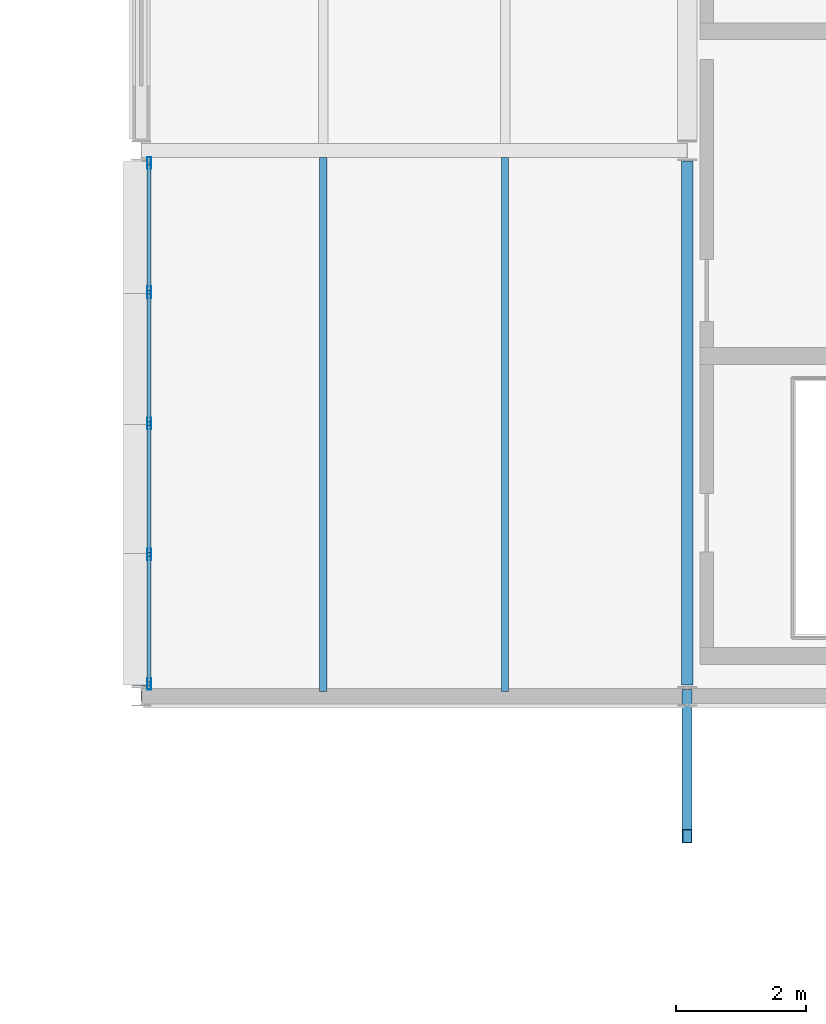
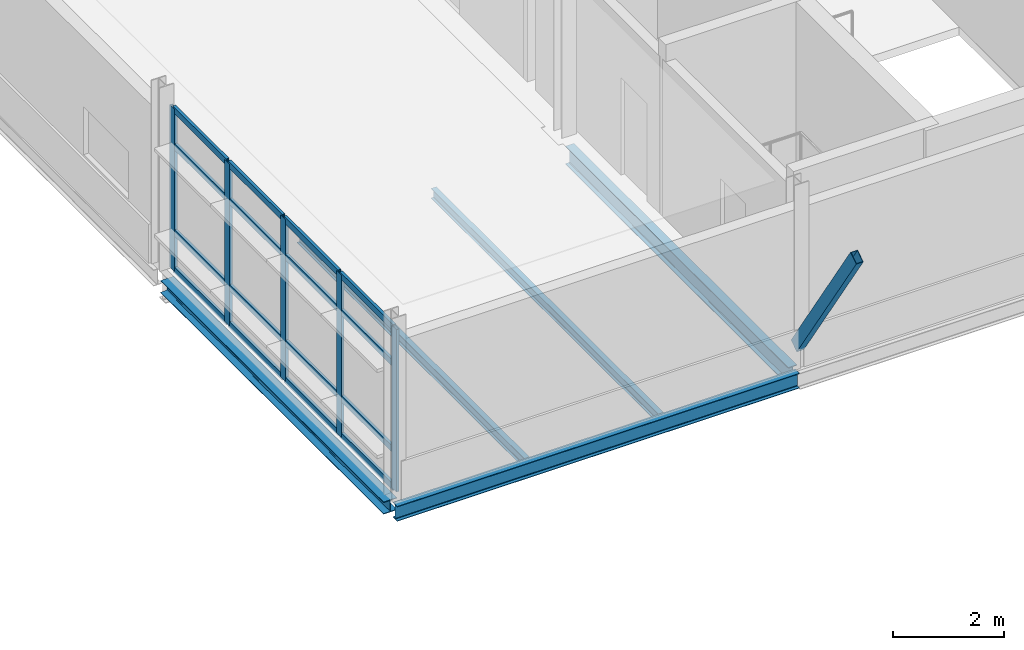
# One storey, part 28 of 66: 22 members, 5 beams, 1 element without a shape of its own.
"""IFC4 building model written with IfcOpenShell, lengths in metres."""

from ifc_helpers import new_model, si_unit, direction, frame, origin, origin_2d, place, context, subcontext, project, spatial, hollow_rectangle, i_section, extrude, material, material_profile, profile_set, type_object, element, aggregate, save


model = new_model("IFC4")

# Units and contexts
model_context = context("Model", 3, precision=1e-05, world=origin(), true_north=direction((0.0, 1.0)))
body_context = subcontext(model_context, "Body", "Model", "MODEL_VIEW")
ifc_project = project(units=[si_unit("LENGTHUNIT", "METRE"), si_unit("AREAUNIT", "SQUARE_METRE"), si_unit("VOLUMEUNIT", "CUBIC_METRE"), si_unit("PLANEANGLEUNIT", "RADIAN"), si_unit("MASSUNIT", "GRAM", prefix="KILO")], contexts=[model_context])

# Site, building, storey
site_placement = place(None, origin())
site = spatial("IfcSite", under=ifc_project, at=site_placement, CompositionType="ELEMENT")
building_placement = place(site_placement, origin())
building = spatial("IfcBuilding", under=site, at=building_placement, Name="Mersafa Astral City Hall", CompositionType="ELEMENT")
storey_placement = place(building_placement, frame((0.0, 0.0, 22.050048828125)))
storey = spatial("IfcBuildingStorey", under=building, at=storey_placement, Name="L05", CompositionType="ELEMENT", Elevation=22.050048828125)

# Curtain wall, members
ifc_material_1 = material(Name="Anodised bronze aluminium framing", Category="aluminium")
curtain_wall_type = type_object("IfcCurtainWallType", Name="ENV-CW-4", PredefinedType="USERDEFINED", material=ifc_material_1)
curtain_wall_placement = place(storey_placement, origin())
curtain_wall = element("IfcCurtainWall", 1, at=curtain_wall_placement, inside=storey, type_object=curtain_wall_type, Name="L05 Unitised solar curtain wall 225", ObjectType="UNITISED CURTAIN WALL", PredefinedType="USERDEFINED")
ifc_material_profile_1 = material_profile(ifc_material_1, hollow_rectangle(XDim=0.06005859375, YDim=0.179931640625, WallThickness=0.00390625, at=origin_2d()), Name="RHS 60x180x4")
ifc_profile_set_1 = profile_set([ifc_material_profile_1], Name="Anodised bronze aluminium framing")
member_type_1 = type_object("IfcMemberType", Name="ENV-CW-MUL-1", PredefinedType="MULLION", material=ifc_profile_set_1)
member_1_placement = place(storey_placement, frame((159.719970703125, 58.60791015625, -0.001953125), z_axis=(0.0, 0.0, 1.0), x_axis=(1.0, 0.0, 0.0)))
member_1 = element("IfcMember", 2, at=member_1_placement, type_object=member_type_1, Name="CW-4 mullion 1", PredefinedType="MULLION", context=body_context, shape_type="SweptSolid", body=[
    extrude(hollow_rectangle(XDim=0.06005859375, YDim=0.179931640625, WallThickness=0.00390625, at=origin_2d()), origin(), (0.0, 0.0, 1.0), 3.578857421875),
])
member_2_placement = place(storey_placement, frame((159.719970703125, 56.618896484375, -0.001953125), z_axis=(0.0, 0.0, 1.0), x_axis=(1.0, 0.0, 0.0)))
member_2 = element("IfcMember", 3, at=member_2_placement, type_object=member_type_1, Name="CW-4 mullion 2", PredefinedType="MULLION", context=body_context, shape_type="SweptSolid", body=[
    extrude(hollow_rectangle(XDim=0.06005859375, YDim=0.179931640625, WallThickness=0.00390625, at=origin_2d()), origin(), (0.0, 0.0, 1.0), 3.578857421875),
])
member_3_placement = place(storey_placement, frame((159.719970703125, 54.60009765625, -0.001953125), z_axis=(0.0, 0.0, 1.0), x_axis=(1.0, 0.0, 0.0)))
member_3 = element("IfcMember", 4, at=member_3_placement, type_object=member_type_1, Name="CW-4 mullion 3", PredefinedType="MULLION", context=body_context, shape_type="SweptSolid", body=[
    extrude(hollow_rectangle(XDim=0.06005859375, YDim=0.179931640625, WallThickness=0.00390625, at=origin_2d()), origin(), (0.0, 0.0, 1.0), 3.578857421875),
])
member_4_placement = place(storey_placement, frame((159.719970703125, 52.5810546875, -0.001953125), z_axis=(0.0, 0.0, 1.0), x_axis=(1.0, 0.0, 0.0)))
member_4 = element("IfcMember", 5, at=member_4_placement, type_object=member_type_1, Name="CW-4 mullion 4", PredefinedType="MULLION", context=body_context, shape_type="SweptSolid", body=[
    extrude(hollow_rectangle(XDim=0.06005859375, YDim=0.179931640625, WallThickness=0.00390625, at=origin_2d()), origin(), (0.0, 0.0, 1.0), 3.578857421875),
])
member_5_placement = place(storey_placement, frame((159.719970703125, 50.592041015625, -0.001953125), z_axis=(0.0, 0.0, 1.0), x_axis=(1.0, 0.0, 0.0)))
member_5 = element("IfcMember", 6, at=member_5_placement, type_object=member_type_1, Name="CW-4 mullion 5", PredefinedType="MULLION", context=body_context, shape_type="SweptSolid", body=[
    extrude(hollow_rectangle(XDim=0.06005859375, YDim=0.179931640625, WallThickness=0.00390625, at=origin_2d()), origin(), (0.0, 0.0, 1.0), 3.578857421875),
])
ifc_material_profile_2 = material_profile(ifc_material_1, hollow_rectangle(XDim=0.06005859375, YDim=0.139892578125, WallThickness=0.00390625, at=origin_2d()), Name="RHS 60x140x4")
ifc_profile_set_2 = profile_set([ifc_material_profile_2], Name="Anodised bronze aluminium framing")
member_type_2 = type_object("IfcMemberType", Name="ENV-CW-TRN-1", PredefinedType="USERDEFINED", material=ifc_profile_set_2)
member_6_placement = place(storey_placement, frame((159.719970703125, 58.577880859375, 0.02783203125), z_axis=(0.0, -1.0, 0.0), x_axis=(1.0, 0.0, 0.0)))
member_6 = element("IfcMember", 7, at=member_6_placement, type_object=member_type_2, Name="CW-4 transom 1.1", ObjectType="TRANSOM", PredefinedType="USERDEFINED", context=body_context, shape_type="SweptSolid", body=[
    extrude(hollow_rectangle(XDim=0.06005859375, YDim=0.139892578125, WallThickness=0.00390625, at=origin_2d()), origin(), (0.0, 0.0, 1.0), 1.928955078125),
])
member_7_placement = place(storey_placement, frame((159.719970703125, 58.577880859375, 0.849853515625), z_axis=(0.0, -1.0, 0.0), x_axis=(1.0, 0.0, 0.0)))
member_7 = element("IfcMember", 8, at=member_7_placement, type_object=member_type_2, Name="CW-4 transom 1.2", ObjectType="TRANSOM", PredefinedType="USERDEFINED", context=body_context, shape_type="SweptSolid", body=[
    extrude(hollow_rectangle(XDim=0.06005859375, YDim=0.139892578125, WallThickness=0.00390625, at=origin_2d()), origin(), (0.0, 0.0, 1.0), 1.928955078125),
])
member_8_placement = place(storey_placement, frame((159.719970703125, 58.577880859375, 2.75), z_axis=(0.0, -1.0, 0.0), x_axis=(1.0, 0.0, 0.0)))
member_8 = element("IfcMember", 9, at=member_8_placement, type_object=member_type_2, Name="CW-4 transom 1.3", ObjectType="TRANSOM", PredefinedType="USERDEFINED", context=body_context, shape_type="SweptSolid", body=[
    extrude(hollow_rectangle(XDim=0.06005859375, YDim=0.139892578125, WallThickness=0.00390625, at=origin_2d()), origin(), (0.0, 0.0, 1.0), 1.928955078125),
])
member_9_placement = place(storey_placement, frame((159.719970703125, 58.577880859375, 3.546875), z_axis=(0.0, -1.0, 0.0), x_axis=(1.0, 0.0, 0.0)))
member_9 = element("IfcMember", 10, at=member_9_placement, type_object=member_type_2, Name="CW-4 transom 1.4", ObjectType="TRANSOM", PredefinedType="USERDEFINED", context=body_context, shape_type="SweptSolid", body=[
    extrude(hollow_rectangle(XDim=0.06005859375, YDim=0.139892578125, WallThickness=0.00390625, at=origin_2d()), origin(), (0.0, 0.0, 1.0), 1.928955078125),
])
member_10_placement = place(storey_placement, frame((159.719970703125, 56.589111328125, 0.02783203125), z_axis=(0.0, -1.0, 0.0), x_axis=(1.0, 0.0, 0.0)))
member_10 = element("IfcMember", 11, at=member_10_placement, type_object=member_type_2, Name="CW-4 transom 2.1", ObjectType="TRANSOM", PredefinedType="USERDEFINED", context=body_context, shape_type="SweptSolid", body=[
    extrude(hollow_rectangle(XDim=0.06005859375, YDim=0.139892578125, WallThickness=0.00390625, at=origin_2d()), origin(), (0.0, 0.0, 1.0), 1.959228515625),
])
member_11_placement = place(storey_placement, frame((159.719970703125, 56.589111328125, 0.849853515625), z_axis=(0.0, -1.0, 0.0), x_axis=(1.0, 0.0, 0.0)))
member_11 = element("IfcMember", 12, at=member_11_placement, type_object=member_type_2, Name="CW-4 transom 2.2", ObjectType="TRANSOM", PredefinedType="USERDEFINED", context=body_context, shape_type="SweptSolid", body=[
    extrude(hollow_rectangle(XDim=0.06005859375, YDim=0.139892578125, WallThickness=0.00390625, at=origin_2d()), origin(), (0.0, 0.0, 1.0), 1.959228515625),
])
member_12_placement = place(storey_placement, frame((159.719970703125, 56.589111328125, 2.75), z_axis=(0.0, -1.0, 0.0), x_axis=(1.0, 0.0, 0.0)))
member_12 = element("IfcMember", 13, at=member_12_placement, type_object=member_type_2, Name="CW-4 transom 2.3", ObjectType="TRANSOM", PredefinedType="USERDEFINED", context=body_context, shape_type="SweptSolid", body=[
    extrude(hollow_rectangle(XDim=0.06005859375, YDim=0.139892578125, WallThickness=0.00390625, at=origin_2d()), origin(), (0.0, 0.0, 1.0), 1.959228515625),
])
member_13_placement = place(storey_placement, frame((159.719970703125, 56.589111328125, 3.546875), z_axis=(0.0, -1.0, 0.0), x_axis=(1.0, 0.0, 0.0)))
member_13 = element("IfcMember", 14, at=member_13_placement, type_object=member_type_2, Name="CW-4 transom 2.4", ObjectType="TRANSOM", PredefinedType="USERDEFINED", context=body_context, shape_type="SweptSolid", body=[
    extrude(hollow_rectangle(XDim=0.06005859375, YDim=0.139892578125, WallThickness=0.00390625, at=origin_2d()), origin(), (0.0, 0.0, 1.0), 1.959228515625),
])
member_14_placement = place(storey_placement, frame((159.719970703125, 54.570068359375, 0.02783203125), z_axis=(0.0, -1.0, 0.0), x_axis=(1.0, 0.0, 0.0)))
member_14 = element("IfcMember", 15, at=member_14_placement, type_object=member_type_2, Name="CW-4 transom 3.1", ObjectType="TRANSOM", PredefinedType="USERDEFINED", context=body_context, shape_type="SweptSolid", body=[
    extrude(hollow_rectangle(XDim=0.06005859375, YDim=0.139892578125, WallThickness=0.00390625, at=origin_2d()), origin(), (0.0, 0.0, 1.0), 1.958984375),
])
member_15_placement = place(storey_placement, frame((159.719970703125, 54.570068359375, 0.849853515625), z_axis=(0.0, -1.0, 0.0), x_axis=(1.0, 0.0, 0.0)))
member_15 = element("IfcMember", 16, at=member_15_placement, type_object=member_type_2, Name="CW-4 transom 3.2", ObjectType="TRANSOM", PredefinedType="USERDEFINED", context=body_context, shape_type="SweptSolid", body=[
    extrude(hollow_rectangle(XDim=0.06005859375, YDim=0.139892578125, WallThickness=0.00390625, at=origin_2d()), origin(), (0.0, 0.0, 1.0), 1.958984375),
])
member_16_placement = place(storey_placement, frame((159.719970703125, 54.570068359375, 2.75), z_axis=(0.0, -1.0, 0.0), x_axis=(1.0, 0.0, 0.0)))
member_16 = element("IfcMember", 17, at=member_16_placement, type_object=member_type_2, Name="CW-4 transom 3.3", ObjectType="TRANSOM", PredefinedType="USERDEFINED", context=body_context, shape_type="SweptSolid", body=[
    extrude(hollow_rectangle(XDim=0.06005859375, YDim=0.139892578125, WallThickness=0.00390625, at=origin_2d()), origin(), (0.0, 0.0, 1.0), 1.958984375),
])
member_17_placement = place(storey_placement, frame((159.719970703125, 54.570068359375, 3.546875), z_axis=(0.0, -1.0, 0.0), x_axis=(1.0, 0.0, 0.0)))
member_17 = element("IfcMember", 18, at=member_17_placement, type_object=member_type_2, Name="CW-4 transom 3.4", ObjectType="TRANSOM", PredefinedType="USERDEFINED", context=body_context, shape_type="SweptSolid", body=[
    extrude(hollow_rectangle(XDim=0.06005859375, YDim=0.139892578125, WallThickness=0.00390625, at=origin_2d()), origin(), (0.0, 0.0, 1.0), 1.958984375),
])
member_18_placement = place(storey_placement, frame((159.719970703125, 52.551025390625, 0.02783203125), z_axis=(0.0, -1.0, 0.0), x_axis=(1.0, 0.0, 0.0)))
member_18 = element("IfcMember", 19, at=member_18_placement, type_object=member_type_2, Name="CW-4 transom 4.1", ObjectType="TRANSOM", PredefinedType="USERDEFINED", context=body_context, shape_type="SweptSolid", body=[
    extrude(hollow_rectangle(XDim=0.06005859375, YDim=0.139892578125, WallThickness=0.00390625, at=origin_2d()), origin(), (0.0, 0.0, 1.0), 1.928955078125),
])
member_19_placement = place(storey_placement, frame((159.719970703125, 52.551025390625, 0.849853515625), z_axis=(0.0, -1.0, 0.0), x_axis=(1.0, 0.0, 0.0)))
member_19 = element("IfcMember", 20, at=member_19_placement, type_object=member_type_2, Name="CW-4 transom 4.2", ObjectType="TRANSOM", PredefinedType="USERDEFINED", context=body_context, shape_type="SweptSolid", body=[
    extrude(hollow_rectangle(XDim=0.06005859375, YDim=0.139892578125, WallThickness=0.00390625, at=origin_2d()), origin(), (0.0, 0.0, 1.0), 1.928955078125),
])
member_20_placement = place(storey_placement, frame((159.719970703125, 52.551025390625, 2.75), z_axis=(0.0, -1.0, 0.0), x_axis=(1.0, 0.0, 0.0)))
member_20 = element("IfcMember", 21, at=member_20_placement, type_object=member_type_2, Name="CW-4 transom 4.3", ObjectType="TRANSOM", PredefinedType="USERDEFINED", context=body_context, shape_type="SweptSolid", body=[
    extrude(hollow_rectangle(XDim=0.06005859375, YDim=0.139892578125, WallThickness=0.00390625, at=origin_2d()), origin(), (0.0, 0.0, 1.0), 1.928955078125),
])
member_21_placement = place(storey_placement, frame((159.719970703125, 52.551025390625, 3.546875), z_axis=(0.0, -1.0, 0.0), x_axis=(1.0, 0.0, 0.0)))
member_21 = element("IfcMember", 22, at=member_21_placement, type_object=member_type_2, Name="CW-4 transom 4.4", ObjectType="TRANSOM", PredefinedType="USERDEFINED", context=body_context, shape_type="SweptSolid", body=[
    extrude(hollow_rectangle(XDim=0.06005859375, YDim=0.139892578125, WallThickness=0.00390625, at=origin_2d()), origin(), (0.0, 0.0, 1.0), 1.928955078125),
])
aggregate(curtain_wall, [member_1, member_2, member_3, member_4, member_5, member_6, member_7, member_8, member_9, member_10, member_11, member_12, member_13, member_14, member_15, member_16, member_17, member_18, member_19, member_20, member_21])

# Beams
ifc_material_2 = material(Name="Steel S355", Category="steel")
ifc_material_profile_3 = material_profile(ifc_material_2, i_section(OverallWidth=0.179931640625, OverallDepth=0.39990234375, WebThickness=0.008544921875, FlangeThickness=0.013427734375, FilletRadius=0.02099609375, at=origin_2d()), Name="IPE 400")
ifc_profile_set_3 = profile_set([ifc_material_profile_3], Name="Steel S355")
beam_type_1 = type_object("IfcBeamType", Name="STR-BM-IPE400", PredefinedType="BEAM", material=ifc_profile_set_3)
beam_1_placement = place(storey_placement, frame((168.0, 50.574951171875, -0.380126953125), z_axis=(0.0, 1.0, 0.0), x_axis=(-1.0, 0.0, 0.0)))
element("IfcBeam", 23, at=beam_1_placement, inside=storey, type_object=beam_type_1, Name="L05 Primary girder Y 20-6", PredefinedType="BEAM", context=body_context, shape_type="SweptSolid", body=[
    extrude(i_section(OverallWidth=0.179931640625, OverallDepth=0.39990234375, WebThickness=0.008544921875, FlangeThickness=0.013427734375, FilletRadius=0.02099609375, at=origin_2d()), origin(), (0.0, 0.0, 1.0), 8.06005859375),
])
ifc_material_profile_4 = material_profile(ifc_material_2, i_section(OverallWidth=0.110107421875, OverallDepth=0.219970703125, WebThickness=0.005859375, FlangeThickness=0.00927734375, FilletRadius=0.011962890625, at=origin_2d()), Name="IPE 220")
ifc_profile_set_4 = profile_set([ifc_material_profile_4], Name="Steel S355")
beam_type_2 = type_object("IfcBeamType", Name="STR-BM-JOIST-IPE220", PredefinedType="JOIST", material=ifc_profile_set_4)
for number, where, z_axis, x_axis, name in (
    (24, (162.39990234375, 50.47509765625, -0.2900390625), (0.0, 1.0, 0.0), (-1.0, 0.0, 0.0), "L05 Composite secondary floor joist 817"),
    (25, (165.199951171875, 50.47509765625, -0.2900390625), (0.0, 1.0, 0.0), (-1.0, 0.0, 0.0), "L05 Composite secondary floor joist 818"),
):
    element("IfcBeam", number, at=place(storey_placement, frame(where, z_axis=z_axis, x_axis=x_axis)), inside=storey, type_object=beam_type_2, Name=name, PredefinedType="JOIST", context=body_context, shape_type="SweptSolid", body=[
        extrude(i_section(OverallWidth=0.110107421875, OverallDepth=0.219970703125, WebThickness=0.005859375, FlangeThickness=0.00927734375, FilletRadius=0.011962890625, at=origin_2d()), origin(), (0.0, 0.0, 1.0), 8.219970703125),
    ])
ifc_material_profile_5 = material_profile(ifc_material_2, i_section(OverallWidth=0.280029296875, OverallDepth=0.27001953125, WebThickness=0.008056640625, FlangeThickness=0.012939453125, FilletRadius=0.02392578125, at=origin_2d()), Name="HEA 280")
ifc_profile_set_5 = profile_set([ifc_material_profile_5], Name="Steel S355")
beam_type_3 = type_object("IfcBeamType", Name="STR-BM-SPANDREL-HEA280", PredefinedType="SPANDREL", material=ifc_profile_set_5)
beam_2_placement = place(storey_placement, frame((159.60009765625, 50.56494140625, -0.31494140625), z_axis=(0.0, 1.0, 0.0), x_axis=(-1.0, 0.0, 0.0)))
element("IfcBeam", 26, at=beam_2_placement, inside=storey, type_object=beam_type_3, Name="L05 Primary girder Y 19-6", PredefinedType="SPANDREL", context=body_context, shape_type="SweptSolid", body=[
    extrude(i_section(OverallWidth=0.280029296875, OverallDepth=0.27001953125, WebThickness=0.008056640625, FlangeThickness=0.012939453125, FilletRadius=0.02392578125, at=origin_2d()), origin(), (0.0, 0.0, 1.0), 8.06005859375),
])
ifc_material_profile_6 = material_profile(ifc_material_2, i_section(OverallWidth=0.159912109375, OverallDepth=0.330078125, WebThickness=0.007568359375, FlangeThickness=0.011474609375, FilletRadius=0.01806640625, at=origin_2d()), Name="IPE 330")
ifc_profile_set_6 = profile_set([ifc_material_profile_6], Name="Steel S355")
beam_type_4 = type_object("IfcBeamType", Name="STR-BM-SPANDREL-IPE330", PredefinedType="SPANDREL", material=ifc_profile_set_6)
beam_3_placement = place(storey_placement, frame((159.60302734375, 50.39990234375, -0.344970703125), z_axis=(1.0, 0.0, 0.0), x_axis=(0.0, 1.0, 0.0)))
element("IfcBeam", 27, at=beam_3_placement, inside=storey, type_object=beam_type_4, Name="L05 Primary girder X 19-6", PredefinedType="SPANDREL", context=body_context, shape_type="SweptSolid", body=[
    extrude(i_section(OverallWidth=0.159912109375, OverallDepth=0.330078125, WebThickness=0.007568359375, FlangeThickness=0.011474609375, FilletRadius=0.01806640625, at=origin_2d()), origin(), (0.0, 0.0, 1.0), 8.39404296875),
])

# Member
ifc_material_profile_7 = material_profile(ifc_material_2, hollow_rectangle(XDim=0.14990234375, YDim=0.25, WallThickness=0.010009765625, at=origin_2d()), Name="RHS 150x250x10")
ifc_profile_set_7 = profile_set([ifc_material_profile_7], Name="Steel S355")
member_type_3 = type_object("IfcMemberType", Name="STR-MBR-STRUT-RHS150X250", PredefinedType="BRACE", material=ifc_profile_set_7)
member_22_placement = place(storey_placement, frame((168.0, 50.39990234375, 0.39990234375), z_axis=(0.0, -0.552902229166, 0.833246137095), x_axis=(1.0, 0.0, 0.0)))
element("IfcMember", 28, at=member_22_placement, inside=storey, type_object=member_type_3, Name="L05 Raked cosmic eave strut ROOF-T4B-V5 S-20", PredefinedType="BRACE", context=body_context, shape_type="SweptSolid", body=[
    extrude(hollow_rectangle(XDim=0.14990234375, YDim=0.25, WallThickness=0.010009765625, at=origin_2d()), origin(), (0.0, 0.0, 1.0), 3.888427734375),
])

save(model, "model.ifc")
